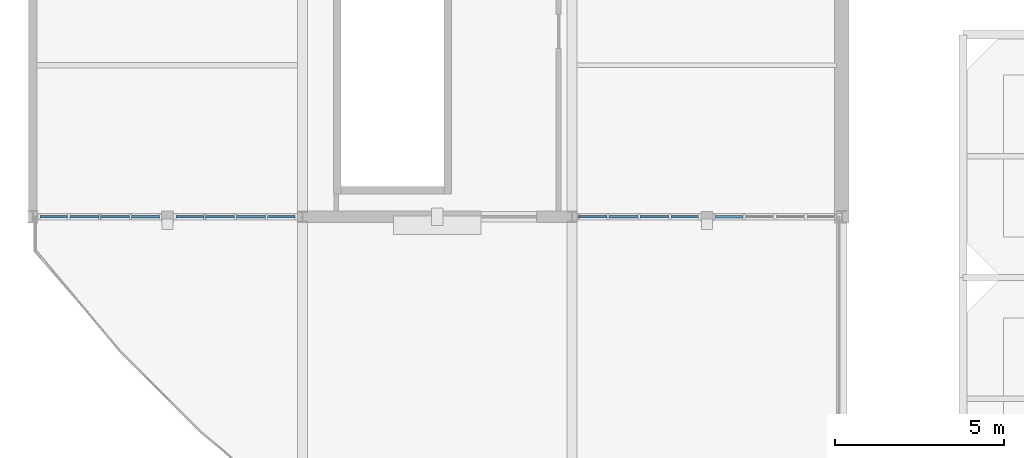
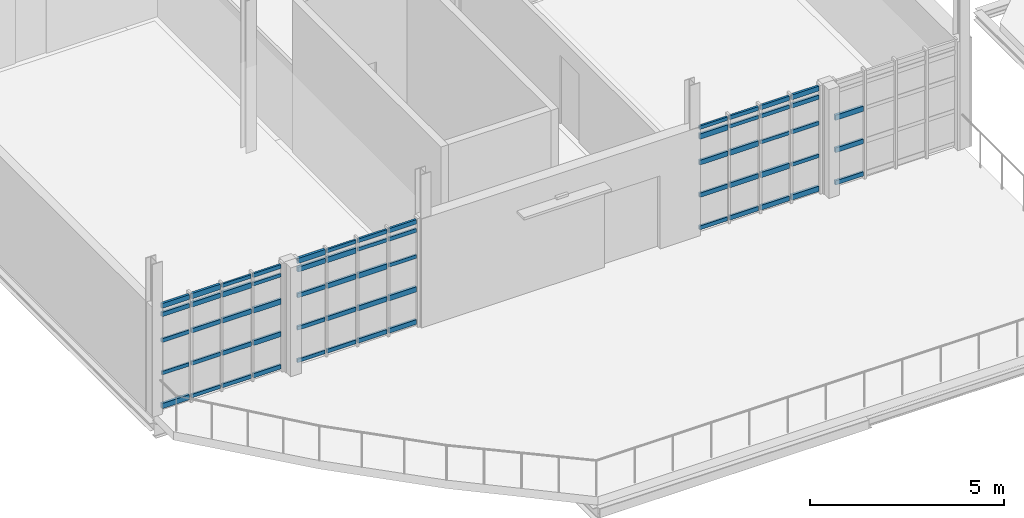
# One storey, part 59 of 128: 63 members, 4 elements without a shape of their own.
"""IFC4 building model written with IfcOpenShell, lengths in metres."""

from ifc_helpers import new_model, si_unit, direction, frame, origin, origin_2d, place, context, subcontext, project, spatial, rectangle, extrude, material, material_profile, profile_set, type_object, element, aggregate, save


model = new_model("IFC4")

# Units and contexts
model_context = context("Model", 3, precision=1e-05, world=origin(), true_north=direction((0.0, 1.0)))
body_context = subcontext(model_context, "Body", "Model", "MODEL_VIEW")
ifc_project = project(units=[si_unit("LENGTHUNIT", "METRE"), si_unit("AREAUNIT", "SQUARE_METRE"), si_unit("VOLUMEUNIT", "CUBIC_METRE"), si_unit("PLANEANGLEUNIT", "RADIAN"), si_unit("MASSUNIT", "GRAM", prefix="KILO")], contexts=[model_context])

# Site, building, storey
site_placement = place(None, origin())
site = spatial("IfcSite", under=ifc_project, at=site_placement, CompositionType="ELEMENT")
building_placement = place(site_placement, origin())
building = spatial("IfcBuilding", under=site, at=building_placement, Name="Serraforn Aerial Cableway Station", CompositionType="ELEMENT")
storey_placement = place(building_placement, frame((0.0, 0.0, 9.0)))
storey = spatial("IfcBuildingStorey", under=building, at=storey_placement, Name="L02", CompositionType="ELEMENT", Elevation=9.0)

# Curtain wall, members
ifc_material_1 = material(Name="Anodised bronze unitised curtain wall")
curtain_wall_type_1 = type_object("IfcCurtainWallType", Name="CW-SYS-23", PredefinedType="USERDEFINED", material=ifc_material_1)
curtain_wall_1_placement = place(storey_placement, origin())
curtain_wall_1 = element("IfcCurtainWall", 1, at=curtain_wall_1_placement, inside=storey, type_object=curtain_wall_type_1, Name="Unitised Curtain Wall CW-W-L02-S1A", ObjectType="UNITISED CURTAIN WALL", PredefinedType="USERDEFINED")
ifc_material_2 = material(Name="Anodised bronze extruded aluminium", Category="aluminium")
ifc_material_profile_1 = material_profile(ifc_material_2, rectangle(XDim=0.054931640625, YDim=0.110107421875, at=origin_2d()), Name="CW TRANSOM 55x110")
ifc_profile_set_1 = profile_set([ifc_material_profile_1], Name="Anodised bronze extruded aluminium")
member_type_1 = type_object("IfcMemberType", Name="CW-TRN-1", PredefinedType="USERDEFINED", material=ifc_profile_set_1)
member_1_placement = place(storey_placement, frame((0.216064453125, 9.0, 1.162841796875), z_axis=(1.0, 0.0, 0.0), x_axis=(0.0, 1.0, 0.0)))
member_1 = element("IfcMember", 2, at=member_1_placement, type_object=member_type_1, Name="Curtain Wall Transom CW-W-L02-S1A-T1-2", ObjectType="TRANSOM", PredefinedType="USERDEFINED", context=body_context, shape_type="SweptSolid", body=[
    extrude(rectangle(XDim=0.054931640625, YDim=0.110107421875, at=origin_2d()), origin(), (0.0, 0.0, 1.0), 0.814453125),
])
member_2_placement = place(storey_placement, frame((1.1015625, 9.0, 0.13671875), z_axis=(1.0, 0.0, 0.0), x_axis=(0.0, 1.0, 0.0)))
member_2 = element("IfcMember", 3, at=member_2_placement, type_object=member_type_1, Name="Curtain Wall Transom CW-W-L02-S1A-T2-1", ObjectType="TRANSOM", PredefinedType="USERDEFINED", context=body_context, shape_type="SweptSolid", body=[
    extrude(rectangle(XDim=0.054931640625, YDim=0.110107421875, at=origin_2d()), origin(), (0.0, 0.0, 1.0), 0.85693359375),
])
member_3_placement = place(storey_placement, frame((2.009521484375, 9.0, 3.283203125), z_axis=(1.0, 0.0, 0.0), x_axis=(0.0, 1.0, 0.0)))
member_3 = element("IfcMember", 4, at=member_3_placement, type_object=member_type_1, Name="Curtain Wall Transom CW-W-L02-S1A-T3-5", ObjectType="TRANSOM", PredefinedType="USERDEFINED", context=body_context, shape_type="SweptSolid", body=[
    extrude(rectangle(XDim=0.054931640625, YDim=0.110107421875, at=origin_2d()), origin(), (0.0, 0.0, 1.0), 0.864501953125),
])
member_4_placement = place(storey_placement, frame((2.929931640625, 9.0, 3.009521484375), z_axis=(1.0, 0.0, 0.0), x_axis=(0.0, 1.0, 0.0)))
member_4 = element("IfcMember", 5, at=member_4_placement, type_object=member_type_1, Name="Curtain Wall Transom CW-W-L02-S1A-T4-4", ObjectType="TRANSOM", PredefinedType="USERDEFINED", context=body_context, shape_type="SweptSolid", body=[
    extrude(rectangle(XDim=0.054931640625, YDim=0.110107421875, at=origin_2d()), origin(), (0.0, 0.0, 1.0), 0.8271484375),
])

curtain_wall_type_2 = type_object("IfcCurtainWallType", Name="CW-SYS-24", PredefinedType="USERDEFINED", material=ifc_material_1)
curtain_wall_2_placement = place(storey_placement, origin())
curtain_wall_2 = element("IfcCurtainWall", 6, at=curtain_wall_2_placement, inside=storey, type_object=curtain_wall_type_2, Name="Unitised Curtain Wall CW-W-L02-S1B", ObjectType="UNITISED CURTAIN WALL", PredefinedType="USERDEFINED")
member_5_placement = place(storey_placement, frame((4.2529296875, 9.0, 0.13671875), z_axis=(1.0, 0.0, 0.0), x_axis=(0.0, 1.0, 0.0)))
member_5 = element("IfcMember", 7, at=member_5_placement, type_object=member_type_1, Name="Curtain Wall Transom CW-W-L02-S1B-T1-1", ObjectType="TRANSOM", PredefinedType="USERDEFINED", context=body_context, shape_type="SweptSolid", body=[
    extrude(rectangle(XDim=0.054931640625, YDim=0.110107421875, at=origin_2d()), origin(), (0.0, 0.0, 1.0), 0.819580078125),
])
member_6_placement = place(storey_placement, frame((5.12353515625, 9.0, 3.283203125), z_axis=(1.0, 0.0, 0.0), x_axis=(0.0, 1.0, 0.0)))
member_6 = element("IfcMember", 8, at=member_6_placement, type_object=member_type_1, Name="Curtain Wall Transom CW-W-L02-S1B-T2-5", ObjectType="TRANSOM", PredefinedType="USERDEFINED", context=body_context, shape_type="SweptSolid", body=[
    extrude(rectangle(XDim=0.054931640625, YDim=0.110107421875, at=origin_2d()), origin(), (0.0, 0.0, 1.0), 0.864501953125),
])
member_7_placement = place(storey_placement, frame((6.0439453125, 9.0, 3.009521484375), z_axis=(1.0, 0.0, 0.0), x_axis=(0.0, 1.0, 0.0)))
member_7 = element("IfcMember", 9, at=member_7_placement, type_object=member_type_1, Name="Curtain Wall Transom CW-W-L02-S1B-T3-4", ObjectType="TRANSOM", PredefinedType="USERDEFINED", context=body_context, shape_type="SweptSolid", body=[
    extrude(rectangle(XDim=0.054931640625, YDim=0.110107421875, at=origin_2d()), origin(), (0.0, 0.0, 1.0), 0.859619140625),
])
member_8_placement = place(storey_placement, frame((6.964599609375, 9.0, 2.188720703125), z_axis=(1.0, 0.0, 0.0), x_axis=(0.0, 1.0, 0.0)))
member_8 = element("IfcMember", 10, at=member_8_placement, type_object=member_type_1, Name="Curtain Wall Transom CW-W-L02-S1B-T4-3", ObjectType="TRANSOM", PredefinedType="USERDEFINED", context=body_context, shape_type="SweptSolid", body=[
    extrude(rectangle(XDim=0.054931640625, YDim=0.110107421875, at=origin_2d()), origin(), (0.0, 0.0, 1.0), 0.8193359375),
])

curtain_wall_type_3 = type_object("IfcCurtainWallType", Name="CW-SYS-25", PredefinedType="USERDEFINED", material=ifc_material_1)
curtain_wall_3_placement = place(storey_placement, origin())
curtain_wall_3 = element("IfcCurtainWall", 11, at=curtain_wall_3_placement, inside=storey, type_object=curtain_wall_type_3, Name="Unitised Curtain Wall CW-W-L02-S3A", ObjectType="UNITISED CURTAIN WALL", PredefinedType="USERDEFINED")
member_9_placement = place(storey_placement, frame((16.200927734375, 9.0, 3.283203125), z_axis=(1.0, 0.0, 0.0), x_axis=(0.0, 1.0, 0.0)))
member_9 = element("IfcMember", 12, at=member_9_placement, type_object=member_type_1, Name="Curtain Wall Transom CW-W-L02-S3A-T1-5", ObjectType="TRANSOM", PredefinedType="USERDEFINED", context=body_context, shape_type="SweptSolid", body=[
    extrude(rectangle(XDim=0.054931640625, YDim=0.110107421875, at=origin_2d()), origin(), (0.0, 0.0, 1.0), 0.837158203125),
])
member_10_placement = place(storey_placement, frame((17.093994140625, 9.0, 3.009521484375), z_axis=(1.0, 0.0, 0.0), x_axis=(0.0, 1.0, 0.0)))
member_10 = element("IfcMember", 13, at=member_10_placement, type_object=member_type_1, Name="Curtain Wall Transom CW-W-L02-S3A-T2-4", ObjectType="TRANSOM", PredefinedType="USERDEFINED", context=body_context, shape_type="SweptSolid", body=[
    extrude(rectangle(XDim=0.054931640625, YDim=0.110107421875, at=origin_2d()), origin(), (0.0, 0.0, 1.0), 0.859619140625),
])
member_11_placement = place(storey_placement, frame((18.014404296875, 9.0, 2.188720703125), z_axis=(1.0, 0.0, 0.0), x_axis=(0.0, 1.0, 0.0)))
member_11 = element("IfcMember", 14, at=member_11_placement, type_object=member_type_1, Name="Curtain Wall Transom CW-W-L02-S3A-T3-3", ObjectType="TRANSOM", PredefinedType="USERDEFINED", context=body_context, shape_type="SweptSolid", body=[
    extrude(rectangle(XDim=0.054931640625, YDim=0.110107421875, at=origin_2d()), origin(), (0.0, 0.0, 1.0), 0.8544921875),
])
member_12_placement = place(storey_placement, frame((18.93505859375, 9.0, 1.162841796875), z_axis=(1.0, 0.0, 0.0), x_axis=(0.0, 1.0, 0.0)))
member_12 = element("IfcMember", 15, at=member_12_placement, type_object=member_type_1, Name="Curtain Wall Transom CW-W-L02-S3A-T4-2", ObjectType="TRANSOM", PredefinedType="USERDEFINED", context=body_context, shape_type="SweptSolid", body=[
    extrude(rectangle(XDim=0.054931640625, YDim=0.110107421875, at=origin_2d()), origin(), (0.0, 0.0, 1.0), 0.81201171875),
])

# Member
ifc_material_profile_2 = material_profile(ifc_material_2, rectangle(XDim=0.06005859375, YDim=0.1201171875, at=origin_2d()), Name="CW TRANSOM 60x120")
ifc_profile_set_2 = profile_set([ifc_material_profile_2], Name="Anodised bronze extruded aluminium")
member_type_2 = type_object("IfcMemberType", Name="CW-TRN-2", PredefinedType="USERDEFINED", material=ifc_profile_set_2)
member_13_placement = place(storey_placement, frame((0.216064453125, 9.0, 2.188720703125), z_axis=(1.0, 0.0, 0.0), x_axis=(0.0, 1.0, 0.0)))
member_13 = element("IfcMember", 16, at=member_13_placement, type_object=member_type_2, Name="Curtain Wall Transom CW-W-L02-S1A-T1-3", ObjectType="TRANSOM", PredefinedType="USERDEFINED", context=body_context, shape_type="SweptSolid", body=[
    extrude(rectangle(XDim=0.06005859375, YDim=0.1201171875, at=origin_2d()), origin(), (0.0, 0.0, 1.0), 0.814453125),
])

member_14_placement = place(storey_placement, frame((1.1015625, 9.0, 1.162841796875), z_axis=(1.0, 0.0, 0.0), x_axis=(0.0, 1.0, 0.0)))
member_14 = element("IfcMember", 17, at=member_14_placement, type_object=member_type_2, Name="Curtain Wall Transom CW-W-L02-S1A-T2-2", ObjectType="TRANSOM", PredefinedType="USERDEFINED", context=body_context, shape_type="SweptSolid", body=[
    extrude(rectangle(XDim=0.06005859375, YDim=0.1201171875, at=origin_2d()), origin(), (0.0, 0.0, 1.0), 0.85693359375),
])

member_15_placement = place(storey_placement, frame((2.009521484375, 9.0, 0.13671875), z_axis=(1.0, 0.0, 0.0), x_axis=(0.0, 1.0, 0.0)))
member_15 = element("IfcMember", 18, at=member_15_placement, type_object=member_type_2, Name="Curtain Wall Transom CW-W-L02-S1A-T3-1", ObjectType="TRANSOM", PredefinedType="USERDEFINED", context=body_context, shape_type="SweptSolid", body=[
    extrude(rectangle(XDim=0.06005859375, YDim=0.1201171875, at=origin_2d()), origin(), (0.0, 0.0, 1.0), 0.864501953125),
])

member_16_placement = place(storey_placement, frame((2.929931640625, 9.0, 3.283203125), z_axis=(1.0, 0.0, 0.0), x_axis=(0.0, 1.0, 0.0)))
member_16 = element("IfcMember", 19, at=member_16_placement, type_object=member_type_2, Name="Curtain Wall Transom CW-W-L02-S1A-T4-5", ObjectType="TRANSOM", PredefinedType="USERDEFINED", context=body_context, shape_type="SweptSolid", body=[
    extrude(rectangle(XDim=0.06005859375, YDim=0.1201171875, at=origin_2d()), origin(), (0.0, 0.0, 1.0), 0.8271484375),
])

member_17_placement = place(storey_placement, frame((4.2529296875, 9.0, 1.162841796875), z_axis=(1.0, 0.0, 0.0), x_axis=(0.0, 1.0, 0.0)))
member_17 = element("IfcMember", 20, at=member_17_placement, type_object=member_type_2, Name="Curtain Wall Transom CW-W-L02-S1B-T1-2", ObjectType="TRANSOM", PredefinedType="USERDEFINED", context=body_context, shape_type="SweptSolid", body=[
    extrude(rectangle(XDim=0.06005859375, YDim=0.1201171875, at=origin_2d()), origin(), (0.0, 0.0, 1.0), 0.819580078125),
])

member_18_placement = place(storey_placement, frame((5.12353515625, 9.0, 0.13671875), z_axis=(1.0, 0.0, 0.0), x_axis=(0.0, 1.0, 0.0)))
member_18 = element("IfcMember", 21, at=member_18_placement, type_object=member_type_2, Name="Curtain Wall Transom CW-W-L02-S1B-T2-1", ObjectType="TRANSOM", PredefinedType="USERDEFINED", context=body_context, shape_type="SweptSolid", body=[
    extrude(rectangle(XDim=0.06005859375, YDim=0.1201171875, at=origin_2d()), origin(), (0.0, 0.0, 1.0), 0.864501953125),
])

member_19_placement = place(storey_placement, frame((6.0439453125, 9.0, 3.283203125), z_axis=(1.0, 0.0, 0.0), x_axis=(0.0, 1.0, 0.0)))
member_19 = element("IfcMember", 22, at=member_19_placement, type_object=member_type_2, Name="Curtain Wall Transom CW-W-L02-S1B-T3-5", ObjectType="TRANSOM", PredefinedType="USERDEFINED", context=body_context, shape_type="SweptSolid", body=[
    extrude(rectangle(XDim=0.06005859375, YDim=0.1201171875, at=origin_2d()), origin(), (0.0, 0.0, 1.0), 0.859619140625),
])

member_20_placement = place(storey_placement, frame((6.964599609375, 9.0, 3.009521484375), z_axis=(1.0, 0.0, 0.0), x_axis=(0.0, 1.0, 0.0)))
member_20 = element("IfcMember", 23, at=member_20_placement, type_object=member_type_2, Name="Curtain Wall Transom CW-W-L02-S1B-T4-4", ObjectType="TRANSOM", PredefinedType="USERDEFINED", context=body_context, shape_type="SweptSolid", body=[
    extrude(rectangle(XDim=0.06005859375, YDim=0.1201171875, at=origin_2d()), origin(), (0.0, 0.0, 1.0), 0.8193359375),
])

member_21_placement = place(storey_placement, frame((16.200927734375, 9.0, 0.13671875), z_axis=(1.0, 0.0, 0.0), x_axis=(0.0, 1.0, 0.0)))
member_21 = element("IfcMember", 24, at=member_21_placement, type_object=member_type_2, Name="Curtain Wall Transom CW-W-L02-S3A-T1-1", ObjectType="TRANSOM", PredefinedType="USERDEFINED", context=body_context, shape_type="SweptSolid", body=[
    extrude(rectangle(XDim=0.06005859375, YDim=0.1201171875, at=origin_2d()), origin(), (0.0, 0.0, 1.0), 0.837158203125),
])

member_22_placement = place(storey_placement, frame((17.093994140625, 9.0, 3.283203125), z_axis=(1.0, 0.0, 0.0), x_axis=(0.0, 1.0, 0.0)))
member_22 = element("IfcMember", 25, at=member_22_placement, type_object=member_type_2, Name="Curtain Wall Transom CW-W-L02-S3A-T2-5", ObjectType="TRANSOM", PredefinedType="USERDEFINED", context=body_context, shape_type="SweptSolid", body=[
    extrude(rectangle(XDim=0.06005859375, YDim=0.1201171875, at=origin_2d()), origin(), (0.0, 0.0, 1.0), 0.859619140625),
])

member_23_placement = place(storey_placement, frame((18.014404296875, 9.0, 3.009521484375), z_axis=(1.0, 0.0, 0.0), x_axis=(0.0, 1.0, 0.0)))
member_23 = element("IfcMember", 26, at=member_23_placement, type_object=member_type_2, Name="Curtain Wall Transom CW-W-L02-S3A-T3-4", ObjectType="TRANSOM", PredefinedType="USERDEFINED", context=body_context, shape_type="SweptSolid", body=[
    extrude(rectangle(XDim=0.06005859375, YDim=0.1201171875, at=origin_2d()), origin(), (0.0, 0.0, 1.0), 0.8544921875),
])

member_24_placement = place(storey_placement, frame((18.93505859375, 9.0, 2.188720703125), z_axis=(1.0, 0.0, 0.0), x_axis=(0.0, 1.0, 0.0)))
member_24 = element("IfcMember", 27, at=member_24_placement, type_object=member_type_2, Name="Curtain Wall Transom CW-W-L02-S3A-T4-3", ObjectType="TRANSOM", PredefinedType="USERDEFINED", context=body_context, shape_type="SweptSolid", body=[
    extrude(rectangle(XDim=0.06005859375, YDim=0.1201171875, at=origin_2d()), origin(), (0.0, 0.0, 1.0), 0.81201171875),
])

ifc_material_profile_3 = material_profile(ifc_material_2, rectangle(XDim=0.06494140625, YDim=0.135009765625, at=origin_2d()), Name="CW TRANSOM 65x135")
ifc_profile_set_3 = profile_set([ifc_material_profile_3], Name="Anodised bronze extruded aluminium")
member_type_3 = type_object("IfcMemberType", Name="CW-TRN-3", PredefinedType="USERDEFINED", material=ifc_profile_set_3)
member_25_placement = place(storey_placement, frame((0.216064453125, 9.0, 3.009521484375), z_axis=(1.0, 0.0, 0.0), x_axis=(0.0, 1.0, 0.0)))
member_25 = element("IfcMember", 28, at=member_25_placement, type_object=member_type_3, Name="Curtain Wall Transom CW-W-L02-S1A-T1-4", ObjectType="TRANSOM", PredefinedType="USERDEFINED", context=body_context, shape_type="SweptSolid", body=[
    extrude(rectangle(XDim=0.06494140625, YDim=0.135009765625, at=origin_2d()), origin(), (0.0, 0.0, 1.0), 0.814453125),
])

member_26_placement = place(storey_placement, frame((1.1015625, 9.0, 2.188720703125), z_axis=(1.0, 0.0, 0.0), x_axis=(0.0, 1.0, 0.0)))
member_26 = element("IfcMember", 29, at=member_26_placement, type_object=member_type_3, Name="Curtain Wall Transom CW-W-L02-S1A-T2-3", ObjectType="TRANSOM", PredefinedType="USERDEFINED", context=body_context, shape_type="SweptSolid", body=[
    extrude(rectangle(XDim=0.06494140625, YDim=0.135009765625, at=origin_2d()), origin(), (0.0, 0.0, 1.0), 0.85693359375),
])

member_27_placement = place(storey_placement, frame((2.009521484375, 9.0, 1.162841796875), z_axis=(1.0, 0.0, 0.0), x_axis=(0.0, 1.0, 0.0)))
member_27 = element("IfcMember", 30, at=member_27_placement, type_object=member_type_3, Name="Curtain Wall Transom CW-W-L02-S1A-T3-2", ObjectType="TRANSOM", PredefinedType="USERDEFINED", context=body_context, shape_type="SweptSolid", body=[
    extrude(rectangle(XDim=0.06494140625, YDim=0.135009765625, at=origin_2d()), origin(), (0.0, 0.0, 1.0), 0.864501953125),
])

member_28_placement = place(storey_placement, frame((2.929931640625, 9.0, 0.13671875), z_axis=(1.0, 0.0, 0.0), x_axis=(0.0, 1.0, 0.0)))
member_28 = element("IfcMember", 31, at=member_28_placement, type_object=member_type_3, Name="Curtain Wall Transom CW-W-L02-S1A-T4-1", ObjectType="TRANSOM", PredefinedType="USERDEFINED", context=body_context, shape_type="SweptSolid", body=[
    extrude(rectangle(XDim=0.06494140625, YDim=0.135009765625, at=origin_2d()), origin(), (0.0, 0.0, 1.0), 0.8271484375),
])

member_29_placement = place(storey_placement, frame((4.2529296875, 9.0, 2.188720703125), z_axis=(1.0, 0.0, 0.0), x_axis=(0.0, 1.0, 0.0)))
member_29 = element("IfcMember", 32, at=member_29_placement, type_object=member_type_3, Name="Curtain Wall Transom CW-W-L02-S1B-T1-3", ObjectType="TRANSOM", PredefinedType="USERDEFINED", context=body_context, shape_type="SweptSolid", body=[
    extrude(rectangle(XDim=0.06494140625, YDim=0.135009765625, at=origin_2d()), origin(), (0.0, 0.0, 1.0), 0.819580078125),
])

member_30_placement = place(storey_placement, frame((5.12353515625, 9.0, 1.162841796875), z_axis=(1.0, 0.0, 0.0), x_axis=(0.0, 1.0, 0.0)))
member_30 = element("IfcMember", 33, at=member_30_placement, type_object=member_type_3, Name="Curtain Wall Transom CW-W-L02-S1B-T2-2", ObjectType="TRANSOM", PredefinedType="USERDEFINED", context=body_context, shape_type="SweptSolid", body=[
    extrude(rectangle(XDim=0.06494140625, YDim=0.135009765625, at=origin_2d()), origin(), (0.0, 0.0, 1.0), 0.864501953125),
])

member_31_placement = place(storey_placement, frame((6.0439453125, 9.0, 0.13671875), z_axis=(1.0, 0.0, 0.0), x_axis=(0.0, 1.0, 0.0)))
member_31 = element("IfcMember", 34, at=member_31_placement, type_object=member_type_3, Name="Curtain Wall Transom CW-W-L02-S1B-T3-1", ObjectType="TRANSOM", PredefinedType="USERDEFINED", context=body_context, shape_type="SweptSolid", body=[
    extrude(rectangle(XDim=0.06494140625, YDim=0.135009765625, at=origin_2d()), origin(), (0.0, 0.0, 1.0), 0.859619140625),
])

member_32_placement = place(storey_placement, frame((6.964599609375, 9.0, 3.283203125), z_axis=(1.0, 0.0, 0.0), x_axis=(0.0, 1.0, 0.0)))
member_32 = element("IfcMember", 35, at=member_32_placement, type_object=member_type_3, Name="Curtain Wall Transom CW-W-L02-S1B-T4-5", ObjectType="TRANSOM", PredefinedType="USERDEFINED", context=body_context, shape_type="SweptSolid", body=[
    extrude(rectangle(XDim=0.06494140625, YDim=0.135009765625, at=origin_2d()), origin(), (0.0, 0.0, 1.0), 0.8193359375),
])

member_33_placement = place(storey_placement, frame((16.200927734375, 9.0, 1.162841796875), z_axis=(1.0, 0.0, 0.0), x_axis=(0.0, 1.0, 0.0)))
member_33 = element("IfcMember", 36, at=member_33_placement, type_object=member_type_3, Name="Curtain Wall Transom CW-W-L02-S3A-T1-2", ObjectType="TRANSOM", PredefinedType="USERDEFINED", context=body_context, shape_type="SweptSolid", body=[
    extrude(rectangle(XDim=0.06494140625, YDim=0.135009765625, at=origin_2d()), origin(), (0.0, 0.0, 1.0), 0.837158203125),
])

member_34_placement = place(storey_placement, frame((17.093994140625, 9.0, 0.13671875), z_axis=(1.0, 0.0, 0.0), x_axis=(0.0, 1.0, 0.0)))
member_34 = element("IfcMember", 37, at=member_34_placement, type_object=member_type_3, Name="Curtain Wall Transom CW-W-L02-S3A-T2-1", ObjectType="TRANSOM", PredefinedType="USERDEFINED", context=body_context, shape_type="SweptSolid", body=[
    extrude(rectangle(XDim=0.06494140625, YDim=0.135009765625, at=origin_2d()), origin(), (0.0, 0.0, 1.0), 0.859619140625),
])

member_35_placement = place(storey_placement, frame((18.014404296875, 9.0, 3.283203125), z_axis=(1.0, 0.0, 0.0), x_axis=(0.0, 1.0, 0.0)))
member_35 = element("IfcMember", 38, at=member_35_placement, type_object=member_type_3, Name="Curtain Wall Transom CW-W-L02-S3A-T3-5", ObjectType="TRANSOM", PredefinedType="USERDEFINED", context=body_context, shape_type="SweptSolid", body=[
    extrude(rectangle(XDim=0.06494140625, YDim=0.135009765625, at=origin_2d()), origin(), (0.0, 0.0, 1.0), 0.8544921875),
])

member_36_placement = place(storey_placement, frame((18.93505859375, 9.0, 3.009521484375), z_axis=(1.0, 0.0, 0.0), x_axis=(0.0, 1.0, 0.0)))
member_36 = element("IfcMember", 39, at=member_36_placement, type_object=member_type_3, Name="Curtain Wall Transom CW-W-L02-S3A-T4-4", ObjectType="TRANSOM", PredefinedType="USERDEFINED", context=body_context, shape_type="SweptSolid", body=[
    extrude(rectangle(XDim=0.06494140625, YDim=0.135009765625, at=origin_2d()), origin(), (0.0, 0.0, 1.0), 0.81201171875),
])

# Curtain wall, member
curtain_wall_type_4 = type_object("IfcCurtainWallType", Name="CW-SYS-26", PredefinedType="USERDEFINED", material=ifc_material_1)
curtain_wall_4_placement = place(storey_placement, origin())
curtain_wall_4 = element("IfcCurtainWall", 40, at=curtain_wall_4_placement, inside=storey, type_object=curtain_wall_type_4, Name="Unitised Curtain Wall CW-W-L02-S3B", ObjectType="UNITISED CURTAIN WALL", PredefinedType="USERDEFINED")
member_37_placement = place(storey_placement, frame((20.238037109375, 9.0, 0.13671875), z_axis=(1.0, 0.0, 0.0), x_axis=(0.0, 1.0, 0.0)))
member_37 = element("IfcMember", 41, at=member_37_placement, type_object=member_type_3, Name="Curtain Wall Transom CW-W-L02-S3B-T1-1", ObjectType="TRANSOM", PredefinedType="USERDEFINED", context=body_context, shape_type="SweptSolid", body=[
    extrude(rectangle(XDim=0.06494140625, YDim=0.135009765625, at=origin_2d()), origin(), (0.0, 0.0, 1.0), 0.829345703125),
])

# Member
ifc_material_profile_4 = material_profile(ifc_material_2, rectangle(XDim=0.070068359375, YDim=0.14990234375, at=origin_2d()), Name="CW TRANSOM 70x150")
ifc_profile_set_4 = profile_set([ifc_material_profile_4], Name="Anodised bronze extruded aluminium")
member_type_4 = type_object("IfcMemberType", Name="CW-TRN-4", PredefinedType="USERDEFINED", material=ifc_profile_set_4)
member_38_placement = place(storey_placement, frame((0.216064453125, 9.0, 3.283203125), z_axis=(1.0, 0.0, 0.0), x_axis=(0.0, 1.0, 0.0)))
member_38 = element("IfcMember", 42, at=member_38_placement, type_object=member_type_4, Name="Curtain Wall Transom CW-W-L02-S1A-T1-5", ObjectType="TRANSOM", PredefinedType="USERDEFINED", context=body_context, shape_type="SweptSolid", body=[
    extrude(rectangle(XDim=0.070068359375, YDim=0.14990234375, at=origin_2d()), origin(), (0.0, 0.0, 1.0), 0.814453125),
])

member_39_placement = place(storey_placement, frame((1.1015625, 9.0, 3.009521484375), z_axis=(1.0, 0.0, 0.0), x_axis=(0.0, 1.0, 0.0)))
member_39 = element("IfcMember", 43, at=member_39_placement, type_object=member_type_4, Name="Curtain Wall Transom CW-W-L02-S1A-T2-4", ObjectType="TRANSOM", PredefinedType="USERDEFINED", context=body_context, shape_type="SweptSolid", body=[
    extrude(rectangle(XDim=0.070068359375, YDim=0.14990234375, at=origin_2d()), origin(), (0.0, 0.0, 1.0), 0.85693359375),
])

member_40_placement = place(storey_placement, frame((2.009521484375, 9.0, 2.188720703125), z_axis=(1.0, 0.0, 0.0), x_axis=(0.0, 1.0, 0.0)))
member_40 = element("IfcMember", 44, at=member_40_placement, type_object=member_type_4, Name="Curtain Wall Transom CW-W-L02-S1A-T3-3", ObjectType="TRANSOM", PredefinedType="USERDEFINED", context=body_context, shape_type="SweptSolid", body=[
    extrude(rectangle(XDim=0.070068359375, YDim=0.14990234375, at=origin_2d()), origin(), (0.0, 0.0, 1.0), 0.864501953125),
])

member_41_placement = place(storey_placement, frame((2.929931640625, 9.0, 1.162841796875), z_axis=(1.0, 0.0, 0.0), x_axis=(0.0, 1.0, 0.0)))
member_41 = element("IfcMember", 45, at=member_41_placement, type_object=member_type_4, Name="Curtain Wall Transom CW-W-L02-S1A-T4-2", ObjectType="TRANSOM", PredefinedType="USERDEFINED", context=body_context, shape_type="SweptSolid", body=[
    extrude(rectangle(XDim=0.070068359375, YDim=0.14990234375, at=origin_2d()), origin(), (0.0, 0.0, 1.0), 0.8271484375),
])

member_42_placement = place(storey_placement, frame((4.2529296875, 9.0, 3.009521484375), z_axis=(1.0, 0.0, 0.0), x_axis=(0.0, 1.0, 0.0)))
member_42 = element("IfcMember", 46, at=member_42_placement, type_object=member_type_4, Name="Curtain Wall Transom CW-W-L02-S1B-T1-4", ObjectType="TRANSOM", PredefinedType="USERDEFINED", context=body_context, shape_type="SweptSolid", body=[
    extrude(rectangle(XDim=0.070068359375, YDim=0.14990234375, at=origin_2d()), origin(), (0.0, 0.0, 1.0), 0.819580078125),
])

member_43_placement = place(storey_placement, frame((5.12353515625, 9.0, 2.188720703125), z_axis=(1.0, 0.0, 0.0), x_axis=(0.0, 1.0, 0.0)))
member_43 = element("IfcMember", 47, at=member_43_placement, type_object=member_type_4, Name="Curtain Wall Transom CW-W-L02-S1B-T2-3", ObjectType="TRANSOM", PredefinedType="USERDEFINED", context=body_context, shape_type="SweptSolid", body=[
    extrude(rectangle(XDim=0.070068359375, YDim=0.14990234375, at=origin_2d()), origin(), (0.0, 0.0, 1.0), 0.864501953125),
])

member_44_placement = place(storey_placement, frame((6.0439453125, 9.0, 1.162841796875), z_axis=(1.0, 0.0, 0.0), x_axis=(0.0, 1.0, 0.0)))
member_44 = element("IfcMember", 48, at=member_44_placement, type_object=member_type_4, Name="Curtain Wall Transom CW-W-L02-S1B-T3-2", ObjectType="TRANSOM", PredefinedType="USERDEFINED", context=body_context, shape_type="SweptSolid", body=[
    extrude(rectangle(XDim=0.070068359375, YDim=0.14990234375, at=origin_2d()), origin(), (0.0, 0.0, 1.0), 0.859619140625),
])

member_45_placement = place(storey_placement, frame((6.964599609375, 9.0, 0.13671875), z_axis=(1.0, 0.0, 0.0), x_axis=(0.0, 1.0, 0.0)))
member_45 = element("IfcMember", 49, at=member_45_placement, type_object=member_type_4, Name="Curtain Wall Transom CW-W-L02-S1B-T4-1", ObjectType="TRANSOM", PredefinedType="USERDEFINED", context=body_context, shape_type="SweptSolid", body=[
    extrude(rectangle(XDim=0.070068359375, YDim=0.14990234375, at=origin_2d()), origin(), (0.0, 0.0, 1.0), 0.8193359375),
])

member_46_placement = place(storey_placement, frame((16.200927734375, 9.0, 2.188720703125), z_axis=(1.0, 0.0, 0.0), x_axis=(0.0, 1.0, 0.0)))
member_46 = element("IfcMember", 50, at=member_46_placement, type_object=member_type_4, Name="Curtain Wall Transom CW-W-L02-S3A-T1-3", ObjectType="TRANSOM", PredefinedType="USERDEFINED", context=body_context, shape_type="SweptSolid", body=[
    extrude(rectangle(XDim=0.070068359375, YDim=0.14990234375, at=origin_2d()), origin(), (0.0, 0.0, 1.0), 0.837158203125),
])

member_47_placement = place(storey_placement, frame((17.093994140625, 9.0, 1.162841796875), z_axis=(1.0, 0.0, 0.0), x_axis=(0.0, 1.0, 0.0)))
member_47 = element("IfcMember", 51, at=member_47_placement, type_object=member_type_4, Name="Curtain Wall Transom CW-W-L02-S3A-T2-2", ObjectType="TRANSOM", PredefinedType="USERDEFINED", context=body_context, shape_type="SweptSolid", body=[
    extrude(rectangle(XDim=0.070068359375, YDim=0.14990234375, at=origin_2d()), origin(), (0.0, 0.0, 1.0), 0.859619140625),
])

member_48_placement = place(storey_placement, frame((18.014404296875, 9.0, 0.13671875), z_axis=(1.0, 0.0, 0.0), x_axis=(0.0, 1.0, 0.0)))
member_48 = element("IfcMember", 52, at=member_48_placement, type_object=member_type_4, Name="Curtain Wall Transom CW-W-L02-S3A-T3-1", ObjectType="TRANSOM", PredefinedType="USERDEFINED", context=body_context, shape_type="SweptSolid", body=[
    extrude(rectangle(XDim=0.070068359375, YDim=0.14990234375, at=origin_2d()), origin(), (0.0, 0.0, 1.0), 0.8544921875),
])

member_49_placement = place(storey_placement, frame((18.93505859375, 9.0, 3.283203125), z_axis=(1.0, 0.0, 0.0), x_axis=(0.0, 1.0, 0.0)))
member_49 = element("IfcMember", 53, at=member_49_placement, type_object=member_type_4, Name="Curtain Wall Transom CW-W-L02-S3A-T4-5", ObjectType="TRANSOM", PredefinedType="USERDEFINED", context=body_context, shape_type="SweptSolid", body=[
    extrude(rectangle(XDim=0.070068359375, YDim=0.14990234375, at=origin_2d()), origin(), (0.0, 0.0, 1.0), 0.81201171875),
])

member_50_placement = place(storey_placement, frame((20.238037109375, 9.0, 1.162841796875), z_axis=(1.0, 0.0, 0.0), x_axis=(0.0, 1.0, 0.0)))
member_50 = element("IfcMember", 54, at=member_50_placement, type_object=member_type_4, Name="Curtain Wall Transom CW-W-L02-S3B-T1-2", ObjectType="TRANSOM", PredefinedType="USERDEFINED", context=body_context, shape_type="SweptSolid", body=[
    extrude(rectangle(XDim=0.070068359375, YDim=0.14990234375, at=origin_2d()), origin(), (0.0, 0.0, 1.0), 0.829345703125),
])

ifc_material_profile_5 = material_profile(ifc_material_2, rectangle(XDim=0.074951171875, YDim=0.1650390625, at=origin_2d()), Name="CW TRANSOM 75x165")
ifc_profile_set_5 = profile_set([ifc_material_profile_5], Name="Anodised bronze extruded aluminium")
member_type_5 = type_object("IfcMemberType", Name="CW-TRN-5", PredefinedType="USERDEFINED", material=ifc_profile_set_5)
member_51_placement = place(storey_placement, frame((0.216064453125, 9.0, 0.13671875), z_axis=(1.0, 0.0, 0.0), x_axis=(0.0, 1.0, 0.0)))
member_51 = element("IfcMember", 55, at=member_51_placement, type_object=member_type_5, Name="Curtain Wall Transom CW-W-L02-S1A-T1-1", ObjectType="TRANSOM", PredefinedType="USERDEFINED", context=body_context, shape_type="SweptSolid", body=[
    extrude(rectangle(XDim=0.074951171875, YDim=0.1650390625, at=origin_2d()), origin(), (0.0, 0.0, 1.0), 0.814453125),
])

member_52_placement = place(storey_placement, frame((1.1015625, 9.0, 3.283203125), z_axis=(1.0, 0.0, 0.0), x_axis=(0.0, 1.0, 0.0)))
member_52 = element("IfcMember", 56, at=member_52_placement, type_object=member_type_5, Name="Curtain Wall Transom CW-W-L02-S1A-T2-5", ObjectType="TRANSOM", PredefinedType="USERDEFINED", context=body_context, shape_type="SweptSolid", body=[
    extrude(rectangle(XDim=0.074951171875, YDim=0.1650390625, at=origin_2d()), origin(), (0.0, 0.0, 1.0), 0.85693359375),
])

member_53_placement = place(storey_placement, frame((2.009521484375, 9.0, 3.009521484375), z_axis=(1.0, 0.0, 0.0), x_axis=(0.0, 1.0, 0.0)))
member_53 = element("IfcMember", 57, at=member_53_placement, type_object=member_type_5, Name="Curtain Wall Transom CW-W-L02-S1A-T3-4", ObjectType="TRANSOM", PredefinedType="USERDEFINED", context=body_context, shape_type="SweptSolid", body=[
    extrude(rectangle(XDim=0.074951171875, YDim=0.1650390625, at=origin_2d()), origin(), (0.0, 0.0, 1.0), 0.864501953125),
])

member_54_placement = place(storey_placement, frame((2.929931640625, 9.0, 2.188720703125), z_axis=(1.0, 0.0, 0.0), x_axis=(0.0, 1.0, 0.0)))
member_54 = element("IfcMember", 58, at=member_54_placement, type_object=member_type_5, Name="Curtain Wall Transom CW-W-L02-S1A-T4-3", ObjectType="TRANSOM", PredefinedType="USERDEFINED", context=body_context, shape_type="SweptSolid", body=[
    extrude(rectangle(XDim=0.074951171875, YDim=0.1650390625, at=origin_2d()), origin(), (0.0, 0.0, 1.0), 0.8271484375),
])

aggregate(curtain_wall_1, [member_51, member_1, member_13, member_25, member_38, member_2, member_14, member_26, member_39, member_52, member_15, member_27, member_40, member_53, member_3, member_28, member_41, member_54, member_4, member_16])

member_55_placement = place(storey_placement, frame((4.2529296875, 9.0, 3.283203125), z_axis=(1.0, 0.0, 0.0), x_axis=(0.0, 1.0, 0.0)))
member_55 = element("IfcMember", 59, at=member_55_placement, type_object=member_type_5, Name="Curtain Wall Transom CW-W-L02-S1B-T1-5", ObjectType="TRANSOM", PredefinedType="USERDEFINED", context=body_context, shape_type="SweptSolid", body=[
    extrude(rectangle(XDim=0.074951171875, YDim=0.1650390625, at=origin_2d()), origin(), (0.0, 0.0, 1.0), 0.819580078125),
])

member_56_placement = place(storey_placement, frame((5.12353515625, 9.0, 3.009521484375), z_axis=(1.0, 0.0, 0.0), x_axis=(0.0, 1.0, 0.0)))
member_56 = element("IfcMember", 60, at=member_56_placement, type_object=member_type_5, Name="Curtain Wall Transom CW-W-L02-S1B-T2-4", ObjectType="TRANSOM", PredefinedType="USERDEFINED", context=body_context, shape_type="SweptSolid", body=[
    extrude(rectangle(XDim=0.074951171875, YDim=0.1650390625, at=origin_2d()), origin(), (0.0, 0.0, 1.0), 0.864501953125),
])

member_57_placement = place(storey_placement, frame((6.0439453125, 9.0, 2.188720703125), z_axis=(1.0, 0.0, 0.0), x_axis=(0.0, 1.0, 0.0)))
member_57 = element("IfcMember", 61, at=member_57_placement, type_object=member_type_5, Name="Curtain Wall Transom CW-W-L02-S1B-T3-3", ObjectType="TRANSOM", PredefinedType="USERDEFINED", context=body_context, shape_type="SweptSolid", body=[
    extrude(rectangle(XDim=0.074951171875, YDim=0.1650390625, at=origin_2d()), origin(), (0.0, 0.0, 1.0), 0.859619140625),
])

member_58_placement = place(storey_placement, frame((6.964599609375, 9.0, 1.162841796875), z_axis=(1.0, 0.0, 0.0), x_axis=(0.0, 1.0, 0.0)))
member_58 = element("IfcMember", 62, at=member_58_placement, type_object=member_type_5, Name="Curtain Wall Transom CW-W-L02-S1B-T4-2", ObjectType="TRANSOM", PredefinedType="USERDEFINED", context=body_context, shape_type="SweptSolid", body=[
    extrude(rectangle(XDim=0.074951171875, YDim=0.1650390625, at=origin_2d()), origin(), (0.0, 0.0, 1.0), 0.8193359375),
])

aggregate(curtain_wall_2, [member_5, member_17, member_29, member_42, member_55, member_18, member_30, member_43, member_56, member_6, member_31, member_44, member_57, member_7, member_19, member_45, member_58, member_8, member_20, member_32])

member_59_placement = place(storey_placement, frame((16.200927734375, 9.0, 3.009521484375), z_axis=(1.0, 0.0, 0.0), x_axis=(0.0, 1.0, 0.0)))
member_59 = element("IfcMember", 63, at=member_59_placement, type_object=member_type_5, Name="Curtain Wall Transom CW-W-L02-S3A-T1-4", ObjectType="TRANSOM", PredefinedType="USERDEFINED", context=body_context, shape_type="SweptSolid", body=[
    extrude(rectangle(XDim=0.074951171875, YDim=0.1650390625, at=origin_2d()), origin(), (0.0, 0.0, 1.0), 0.837158203125),
])

member_60_placement = place(storey_placement, frame((17.093994140625, 9.0, 2.188720703125), z_axis=(1.0, 0.0, 0.0), x_axis=(0.0, 1.0, 0.0)))
member_60 = element("IfcMember", 64, at=member_60_placement, type_object=member_type_5, Name="Curtain Wall Transom CW-W-L02-S3A-T2-3", ObjectType="TRANSOM", PredefinedType="USERDEFINED", context=body_context, shape_type="SweptSolid", body=[
    extrude(rectangle(XDim=0.074951171875, YDim=0.1650390625, at=origin_2d()), origin(), (0.0, 0.0, 1.0), 0.859619140625),
])

member_61_placement = place(storey_placement, frame((18.014404296875, 9.0, 1.162841796875), z_axis=(1.0, 0.0, 0.0), x_axis=(0.0, 1.0, 0.0)))
member_61 = element("IfcMember", 65, at=member_61_placement, type_object=member_type_5, Name="Curtain Wall Transom CW-W-L02-S3A-T3-2", ObjectType="TRANSOM", PredefinedType="USERDEFINED", context=body_context, shape_type="SweptSolid", body=[
    extrude(rectangle(XDim=0.074951171875, YDim=0.1650390625, at=origin_2d()), origin(), (0.0, 0.0, 1.0), 0.8544921875),
])

member_62_placement = place(storey_placement, frame((18.93505859375, 9.0, 0.13671875), z_axis=(1.0, 0.0, 0.0), x_axis=(0.0, 1.0, 0.0)))
member_62 = element("IfcMember", 66, at=member_62_placement, type_object=member_type_5, Name="Curtain Wall Transom CW-W-L02-S3A-T4-1", ObjectType="TRANSOM", PredefinedType="USERDEFINED", context=body_context, shape_type="SweptSolid", body=[
    extrude(rectangle(XDim=0.074951171875, YDim=0.1650390625, at=origin_2d()), origin(), (0.0, 0.0, 1.0), 0.81201171875),
])

aggregate(curtain_wall_3, [member_21, member_33, member_46, member_59, member_9, member_34, member_47, member_60, member_10, member_22, member_48, member_61, member_11, member_23, member_35, member_62, member_12, member_24, member_36, member_49])

member_63_placement = place(storey_placement, frame((20.238037109375, 9.0, 2.188720703125), z_axis=(1.0, 0.0, 0.0), x_axis=(0.0, 1.0, 0.0)))
member_63 = element("IfcMember", 67, at=member_63_placement, type_object=member_type_5, Name="Curtain Wall Transom CW-W-L02-S3B-T1-3", ObjectType="TRANSOM", PredefinedType="USERDEFINED", context=body_context, shape_type="SweptSolid", body=[
    extrude(rectangle(XDim=0.074951171875, YDim=0.1650390625, at=origin_2d()), origin(), (0.0, 0.0, 1.0), 0.829345703125),
])

aggregate(curtain_wall_4, [member_37, member_50, member_63])

save(model, "model.ifc")
